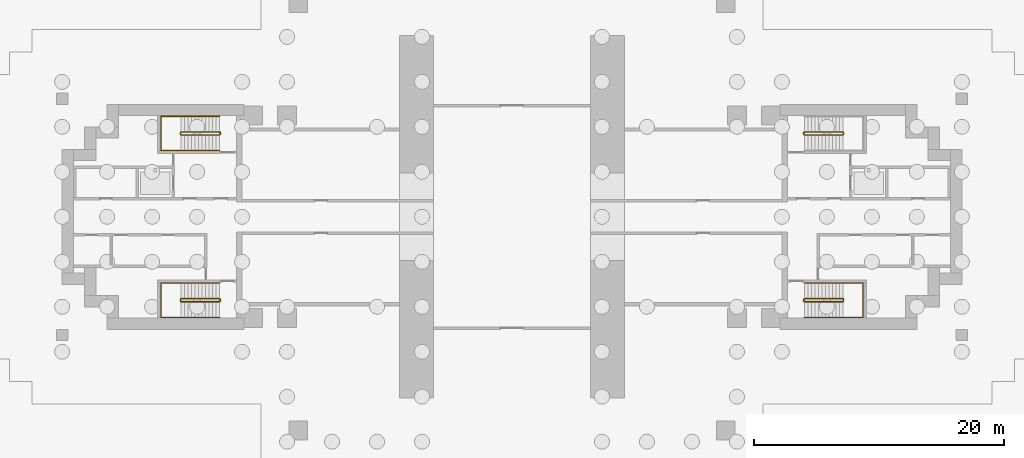
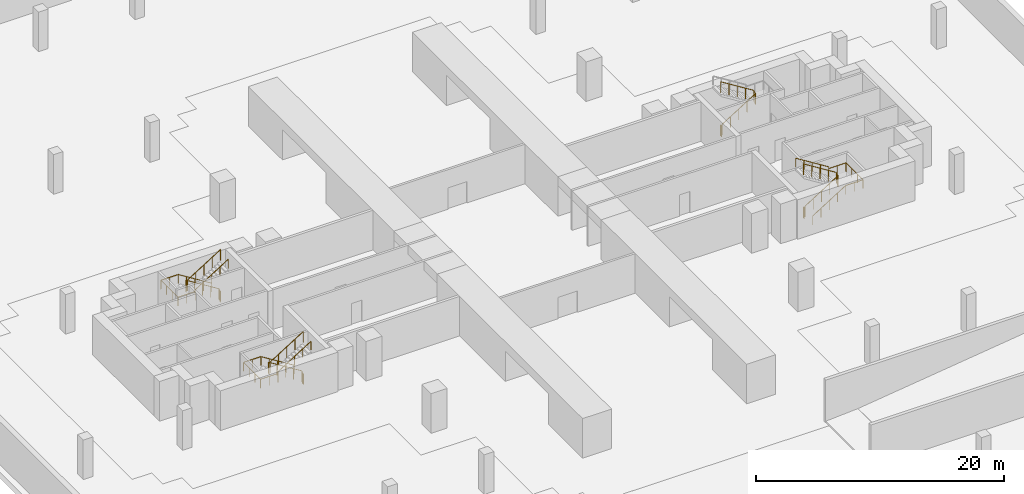
# One storey, part 9 of 11: 7 railings.
"""IFC4 building model written with IfcOpenShell, lengths in metres."""

from ifc_helpers import new_model, si_unit, direction, frame, origin, origin_2d, place, context, subcontext, project, spatial, rectangle, extrude, material, type_object, element, save


model = new_model("IFC4")

# Units and contexts
model_context = context("Model", 3, precision=1e-05, world=origin(), true_north=direction((0.0, 1.0)))
body_context = subcontext(model_context, "Body", "Model", "MODEL_VIEW")
ifc_project = project(units=[si_unit("LENGTHUNIT", "METRE"), si_unit("AREAUNIT", "SQUARE_METRE"), si_unit("VOLUMEUNIT", "CUBIC_METRE"), si_unit("PLANEANGLEUNIT", "RADIAN"), si_unit("MASSUNIT", "GRAM", prefix="KILO")], contexts=[model_context])

# Site, building, storey
site_placement = place(None, origin())
site = spatial("IfcSite", under=ifc_project, at=site_placement, CompositionType="ELEMENT")
building_placement = place(site_placement, origin())
building = spatial("IfcBuilding", under=site, at=building_placement, Name="Perihelion Cross Residences", CompositionType="ELEMENT")
storey_placement = place(building_placement, frame((0.0, 0.0, -17.10009765625)))
storey = spatial("IfcBuildingStorey", under=building, at=storey_placement, Name="B4", CompositionType="ELEMENT", Elevation=-17.10009765625)

# Railings
ifc_material_1 = material(Name="Stainless steel", Category="steel")
railing_type_1 = type_object("IfcRailingType", Name="Stair guard 1100", PredefinedType="GUARDRAIL", material=ifc_material_1)
railing_1_placement = place(storey_placement, frame((23.35009765625, 6.75, 0.0)))
element("IfcRailing", 1, at=railing_1_placement, inside=storey, type_object=railing_type_1, Name="B4 ST-E1 stair guard 1", PredefinedType="GUARDRAIL", context=body_context, shape_type="SweptSolid", body=[
    extrude(rectangle(XDim=0.048095703125, YDim=0.048095703125, at=origin_2d()), frame((0.0, 0.0, 1.076171875), z_axis=(0.0, -1.0, 0.0), x_axis=(1.0, 0.0, 0.0)), (0.0, 0.0, 1.0), 0.14990234375),
    extrude(rectangle(XDim=0.048095703125, YDim=0.048095703125, at=origin_2d()), frame((0.0, -0.14990234375, 1.076171875), z_axis=(0.263862480399, -0.265155923931, 0.927399011991), x_axis=(0.708833529934, 0.705375805398, 0.0)), (0.0, 0.0, 1.0), 0.188720703125),
    extrude(rectangle(XDim=0.048095703125, YDim=0.048095703125, at=origin_2d()), frame((0.0498046875, -0.199951171875, 1.2509765625), z_axis=(0.847998304005, 0.0, 0.529998940003), x_axis=(0.0, 1.0, 0.0)), (0.0, 0.0, 1.0), 3.632080078125),
    extrude(rectangle(XDim=0.048095703125, YDim=0.048095703125, at=origin_2d()), frame((3.1298828125, -0.199951171875, 3.17626953125), z_axis=(0.707106781187, 0.707106781187, 0.0), x_axis=(-0.707106781187, 0.707106781187, 0.0)), (0.0, 0.0, 1.0), 0.07080078125),
    extrude(rectangle(XDim=0.048095703125, YDim=0.048095703125, at=origin_2d()), frame((3.179931640625, -0.14990234375, 3.17626953125), z_axis=(0.0, 1.0, 0.0), x_axis=(-1.0, 0.0, 0.0)), (0.0, 0.0, 1.0), 0.14990234375),
    extrude(rectangle(XDim=0.048095703125, YDim=0.048095703125, at=origin_2d()), frame((3.179931640625, 0.0, 3.17626953125), z_axis=(-0.265065253269, 0.265065253269, 0.927081885822), x_axis=(-0.707106781187, -0.707106781187, 0.0)), (0.0, 0.0, 1.0), 0.188720703125),
    extrude(rectangle(XDim=0.048095703125, YDim=0.048095703125, at=origin_2d()), frame((3.1298828125, 0.050048828125, 3.35107421875), z_axis=(-0.847998304005, 0.0, 0.529998940003), x_axis=(0.0, -1.0, 0.0)), (0.0, 0.0, 1.0), 3.632080078125),
    extrude(rectangle(XDim=0.0419921875, YDim=0.0419921875, at=origin_2d()), origin(), (0.0, 0.0, 1.0), 1.052001953125),
    extrude(rectangle(XDim=0.0419921875, YDim=0.0419921875, at=origin_2d()), frame((0.0, -0.14990234375, 0.0)), (0.0, 0.0, 1.0), 1.052001953125),
    extrude(rectangle(XDim=0.0419921875, YDim=0.0419921875, at=origin_2d()), frame((0.0498046875, -0.199951171875, 0.175048828125)), (0.0, 0.0, 1.0), 1.052001953125),
    extrude(rectangle(XDim=0.0419921875, YDim=0.0419921875, at=origin_2d()), frame((0.81982421875, -0.199951171875, 0.65625)), (0.0, 0.0, 1.0), 1.052001953125),
    extrude(rectangle(XDim=0.0419921875, YDim=0.0419921875, at=origin_2d()), frame((1.58984375, -0.199951171875, 1.1376953125)), (0.0, 0.0, 1.0), 1.052001953125),
    extrude(rectangle(XDim=0.0419921875, YDim=0.0419921875, at=origin_2d()), frame((2.35986328125, -0.199951171875, 1.618896484375)), (0.0, 0.0, 1.0), 1.052001953125),
    extrude(rectangle(XDim=0.0419921875, YDim=0.0419921875, at=origin_2d()), frame((3.1298828125, -0.199951171875, 2.10009765625)), (0.0, 0.0, 1.0), 1.052001953125),
    extrude(rectangle(XDim=0.0419921875, YDim=0.0419921875, at=origin_2d()), frame((3.179931640625, -0.14990234375, 2.10009765625)), (0.0, 0.0, 1.0), 1.052001953125),
    extrude(rectangle(XDim=0.0419921875, YDim=0.0419921875, at=origin_2d()), frame((3.179931640625, 0.0, 2.10009765625)), (0.0, 0.0, 1.0), 1.052001953125),
    extrude(rectangle(XDim=0.0419921875, YDim=0.0419921875, at=origin_2d()), frame((3.1298828125, 0.050048828125, 2.275146484375)), (0.0, 0.0, 1.0), 1.052001953125),
    extrude(rectangle(XDim=0.0419921875, YDim=0.0419921875, at=origin_2d()), frame((2.35986328125, 0.050048828125, 2.75634765625)), (0.0, 0.0, 1.0), 1.052001953125),
    extrude(rectangle(XDim=0.0419921875, YDim=0.0419921875, at=origin_2d()), frame((1.58984375, 0.050048828125, 3.23779296875)), (0.0, 0.0, 1.0), 1.052001953125),
    extrude(rectangle(XDim=0.0419921875, YDim=0.0419921875, at=origin_2d()), frame((0.81982421875, 0.050048828125, 3.718994140625)), (0.0, 0.0, 1.0), 1.052001953125),
    extrude(rectangle(XDim=0.0419921875, YDim=0.0419921875, at=origin_2d()), frame((0.0498046875, 0.050048828125, 4.2001953125)), (0.0, 0.0, 1.0), 1.052001953125),
])
railing_2_placement = place(storey_placement, frame((23.35009765625, -6.60009765625, 0.0)))
element("IfcRailing", 2, at=railing_2_placement, inside=storey, type_object=railing_type_1, Name="B4 ST-E2 stair guard 1", PredefinedType="GUARDRAIL", context=body_context, shape_type="SweptSolid", body=[
    extrude(rectangle(XDim=0.048095703125, YDim=0.048095703125, at=origin_2d()), frame((0.0, 0.0, 1.076171875), z_axis=(0.0, -1.0, 0.0), x_axis=(1.0, 0.0, 0.0)), (0.0, 0.0, 1.0), 0.14990234375),
    extrude(rectangle(XDim=0.048095703125, YDim=0.048095703125, at=origin_2d()), frame((0.0, -0.14990234375, 1.076171875), z_axis=(0.263862480399, -0.265155923931, 0.927399011991), x_axis=(0.708833529934, 0.705375805398, 0.0)), (0.0, 0.0, 1.0), 0.188720703125),
    extrude(rectangle(XDim=0.048095703125, YDim=0.048095703125, at=origin_2d()), frame((0.0498046875, -0.199951171875, 1.2509765625), z_axis=(0.847998304005, 0.0, 0.529998940003), x_axis=(0.0, 1.0, 0.0)), (0.0, 0.0, 1.0), 3.632080078125),
    extrude(rectangle(XDim=0.048095703125, YDim=0.048095703125, at=origin_2d()), frame((3.1298828125, -0.199951171875, 3.17626953125), z_axis=(0.707106781187, 0.707106781187, 0.0), x_axis=(-0.707106781187, 0.707106781187, 0.0)), (0.0, 0.0, 1.0), 0.07080078125),
    extrude(rectangle(XDim=0.048095703125, YDim=0.048095703125, at=origin_2d()), frame((3.179931640625, -0.14990234375, 3.17626953125), z_axis=(0.0, 1.0, 0.0), x_axis=(-1.0, 0.0, 0.0)), (0.0, 0.0, 1.0), 0.14990234375),
    extrude(rectangle(XDim=0.048095703125, YDim=0.048095703125, at=origin_2d()), frame((3.179931640625, 0.0, 3.17626953125), z_axis=(-0.265065253269, 0.265065253269, 0.927081885822), x_axis=(-0.707106781187, -0.707106781187, 0.0)), (0.0, 0.0, 1.0), 0.188720703125),
    extrude(rectangle(XDim=0.048095703125, YDim=0.048095703125, at=origin_2d()), frame((3.1298828125, 0.050048828125, 3.35107421875), z_axis=(-0.847998304005, 0.0, 0.529998940003), x_axis=(0.0, -1.0, 0.0)), (0.0, 0.0, 1.0), 3.632080078125),
    extrude(rectangle(XDim=0.0419921875, YDim=0.0419921875, at=origin_2d()), origin(), (0.0, 0.0, 1.0), 1.052001953125),
    extrude(rectangle(XDim=0.0419921875, YDim=0.0419921875, at=origin_2d()), frame((0.0, -0.14990234375, 0.0)), (0.0, 0.0, 1.0), 1.052001953125),
    extrude(rectangle(XDim=0.0419921875, YDim=0.0419921875, at=origin_2d()), frame((0.0498046875, -0.199951171875, 0.175048828125)), (0.0, 0.0, 1.0), 1.052001953125),
    extrude(rectangle(XDim=0.0419921875, YDim=0.0419921875, at=origin_2d()), frame((0.81982421875, -0.199951171875, 0.65625)), (0.0, 0.0, 1.0), 1.052001953125),
    extrude(rectangle(XDim=0.0419921875, YDim=0.0419921875, at=origin_2d()), frame((1.58984375, -0.199951171875, 1.1376953125)), (0.0, 0.0, 1.0), 1.052001953125),
    extrude(rectangle(XDim=0.0419921875, YDim=0.0419921875, at=origin_2d()), frame((2.35986328125, -0.199951171875, 1.618896484375)), (0.0, 0.0, 1.0), 1.052001953125),
    extrude(rectangle(XDim=0.0419921875, YDim=0.0419921875, at=origin_2d()), frame((3.1298828125, -0.199951171875, 2.10009765625)), (0.0, 0.0, 1.0), 1.052001953125),
    extrude(rectangle(XDim=0.0419921875, YDim=0.0419921875, at=origin_2d()), frame((3.179931640625, -0.14990234375, 2.10009765625)), (0.0, 0.0, 1.0), 1.052001953125),
    extrude(rectangle(XDim=0.0419921875, YDim=0.0419921875, at=origin_2d()), frame((3.179931640625, 0.0, 2.10009765625)), (0.0, 0.0, 1.0), 1.052001953125),
    extrude(rectangle(XDim=0.0419921875, YDim=0.0419921875, at=origin_2d()), frame((3.1298828125, 0.050048828125, 2.275146484375)), (0.0, 0.0, 1.0), 1.052001953125),
    extrude(rectangle(XDim=0.0419921875, YDim=0.0419921875, at=origin_2d()), frame((2.35986328125, 0.050048828125, 2.75634765625)), (0.0, 0.0, 1.0), 1.052001953125),
    extrude(rectangle(XDim=0.0419921875, YDim=0.0419921875, at=origin_2d()), frame((1.58984375, 0.050048828125, 3.23779296875)), (0.0, 0.0, 1.0), 1.052001953125),
    extrude(rectangle(XDim=0.0419921875, YDim=0.0419921875, at=origin_2d()), frame((0.81982421875, 0.050048828125, 3.718994140625)), (0.0, 0.0, 1.0), 1.052001953125),
    extrude(rectangle(XDim=0.0419921875, YDim=0.0419921875, at=origin_2d()), frame((0.0498046875, 0.050048828125, 4.2001953125)), (0.0, 0.0, 1.0), 1.052001953125),
])
railing_3_placement = place(storey_placement, frame((-23.35009765625, 6.60009765625, 0.0)))
element("IfcRailing", 3, at=railing_3_placement, inside=storey, type_object=railing_type_1, Name="B4 ST-W1 stair guard 1", PredefinedType="GUARDRAIL", context=body_context, shape_type="SweptSolid", body=[
    extrude(rectangle(XDim=0.048095703125, YDim=0.048095703125, at=origin_2d()), frame((0.0, 0.0, 1.076171875), z_axis=(0.0, 1.0, 0.0), x_axis=(-1.0, 0.0, 0.0)), (0.0, 0.0, 1.0), 0.14990234375),
    extrude(rectangle(XDim=0.048095703125, YDim=0.048095703125, at=origin_2d()), frame((0.0, 0.14990234375, 1.076171875), z_axis=(-0.263862480399, 0.265155923931, 0.927399011991), x_axis=(-0.708833529934, -0.705375805398, 0.0)), (0.0, 0.0, 1.0), 0.188720703125),
    extrude(rectangle(XDim=0.048095703125, YDim=0.048095703125, at=origin_2d()), frame((-0.0498046875, 0.199951171875, 1.2509765625), z_axis=(-0.847998304005, 0.0, 0.529998940003), x_axis=(0.0, -1.0, 0.0)), (0.0, 0.0, 1.0), 3.632080078125),
    extrude(rectangle(XDim=0.048095703125, YDim=0.048095703125, at=origin_2d()), frame((-3.1298828125, 0.199951171875, 3.17626953125), z_axis=(-0.707106781187, -0.707106781187, 0.0), x_axis=(0.707106781187, -0.707106781187, 0.0)), (0.0, 0.0, 1.0), 0.07080078125),
    extrude(rectangle(XDim=0.048095703125, YDim=0.048095703125, at=origin_2d()), frame((-3.179931640625, 0.14990234375, 3.17626953125), z_axis=(0.0, -1.0, 0.0), x_axis=(1.0, 0.0, 0.0)), (0.0, 0.0, 1.0), 0.14990234375),
    extrude(rectangle(XDim=0.048095703125, YDim=0.048095703125, at=origin_2d()), frame((-3.179931640625, 0.0, 3.17626953125), z_axis=(0.265065253269, -0.265065253269, 0.927081885822), x_axis=(0.707106781187, 0.707106781187, 0.0)), (0.0, 0.0, 1.0), 0.188720703125),
    extrude(rectangle(XDim=0.048095703125, YDim=0.048095703125, at=origin_2d()), frame((-3.1298828125, -0.050048828125, 3.35107421875), z_axis=(0.847998304005, 0.0, 0.529998940003), x_axis=(0.0, 1.0, 0.0)), (0.0, 0.0, 1.0), 3.632080078125),
    extrude(rectangle(XDim=0.0419921875, YDim=0.0419921875, at=origin_2d()), origin(), (0.0, 0.0, 1.0), 1.052001953125),
    extrude(rectangle(XDim=0.0419921875, YDim=0.0419921875, at=origin_2d()), frame((0.0, 0.14990234375, 0.0)), (0.0, 0.0, 1.0), 1.052001953125),
    extrude(rectangle(XDim=0.0419921875, YDim=0.0419921875, at=origin_2d()), frame((-0.0498046875, 0.199951171875, 0.175048828125)), (0.0, 0.0, 1.0), 1.052001953125),
    extrude(rectangle(XDim=0.0419921875, YDim=0.0419921875, at=origin_2d()), frame((-0.81982421875, 0.199951171875, 0.65625)), (0.0, 0.0, 1.0), 1.052001953125),
    extrude(rectangle(XDim=0.0419921875, YDim=0.0419921875, at=origin_2d()), frame((-1.58984375, 0.199951171875, 1.1376953125)), (0.0, 0.0, 1.0), 1.052001953125),
    extrude(rectangle(XDim=0.0419921875, YDim=0.0419921875, at=origin_2d()), frame((-2.35986328125, 0.199951171875, 1.618896484375)), (0.0, 0.0, 1.0), 1.052001953125),
    extrude(rectangle(XDim=0.0419921875, YDim=0.0419921875, at=origin_2d()), frame((-3.1298828125, 0.199951171875, 2.10009765625)), (0.0, 0.0, 1.0), 1.052001953125),
    extrude(rectangle(XDim=0.0419921875, YDim=0.0419921875, at=origin_2d()), frame((-3.179931640625, 0.14990234375, 2.10009765625)), (0.0, 0.0, 1.0), 1.052001953125),
    extrude(rectangle(XDim=0.0419921875, YDim=0.0419921875, at=origin_2d()), frame((-3.179931640625, 0.0, 2.10009765625)), (0.0, 0.0, 1.0), 1.052001953125),
    extrude(rectangle(XDim=0.0419921875, YDim=0.0419921875, at=origin_2d()), frame((-3.1298828125, -0.050048828125, 2.275146484375)), (0.0, 0.0, 1.0), 1.052001953125),
    extrude(rectangle(XDim=0.0419921875, YDim=0.0419921875, at=origin_2d()), frame((-2.35986328125, -0.050048828125, 2.75634765625)), (0.0, 0.0, 1.0), 1.052001953125),
    extrude(rectangle(XDim=0.0419921875, YDim=0.0419921875, at=origin_2d()), frame((-1.58984375, -0.050048828125, 3.23779296875)), (0.0, 0.0, 1.0), 1.052001953125),
    extrude(rectangle(XDim=0.0419921875, YDim=0.0419921875, at=origin_2d()), frame((-0.81982421875, -0.050048828125, 3.718994140625)), (0.0, 0.0, 1.0), 1.052001953125),
    extrude(rectangle(XDim=0.0419921875, YDim=0.0419921875, at=origin_2d()), frame((-0.0498046875, -0.050048828125, 4.2001953125)), (0.0, 0.0, 1.0), 1.052001953125),
])
railing_4_placement = place(storey_placement, frame((-23.35009765625, -6.75, 0.0)))
element("IfcRailing", 4, at=railing_4_placement, inside=storey, type_object=railing_type_1, Name="B4 ST-W2 stair guard 1", PredefinedType="GUARDRAIL", context=body_context, shape_type="SweptSolid", body=[
    extrude(rectangle(XDim=0.048095703125, YDim=0.048095703125, at=origin_2d()), frame((0.0, 0.0, 1.076171875), z_axis=(0.0, 1.0, 0.0), x_axis=(-1.0, 0.0, 0.0)), (0.0, 0.0, 1.0), 0.14990234375),
    extrude(rectangle(XDim=0.048095703125, YDim=0.048095703125, at=origin_2d()), frame((0.0, 0.14990234375, 1.076171875), z_axis=(-0.263862480399, 0.265155923931, 0.927399011991), x_axis=(-0.708833529934, -0.705375805398, 0.0)), (0.0, 0.0, 1.0), 0.188720703125),
    extrude(rectangle(XDim=0.048095703125, YDim=0.048095703125, at=origin_2d()), frame((-0.0498046875, 0.199951171875, 1.2509765625), z_axis=(-0.847998304005, 0.0, 0.529998940003), x_axis=(0.0, -1.0, 0.0)), (0.0, 0.0, 1.0), 3.632080078125),
    extrude(rectangle(XDim=0.048095703125, YDim=0.048095703125, at=origin_2d()), frame((-3.1298828125, 0.199951171875, 3.17626953125), z_axis=(-0.707106781187, -0.707106781187, 0.0), x_axis=(0.707106781187, -0.707106781187, 0.0)), (0.0, 0.0, 1.0), 0.07080078125),
    extrude(rectangle(XDim=0.048095703125, YDim=0.048095703125, at=origin_2d()), frame((-3.179931640625, 0.14990234375, 3.17626953125), z_axis=(0.0, -1.0, 0.0), x_axis=(1.0, 0.0, 0.0)), (0.0, 0.0, 1.0), 0.14990234375),
    extrude(rectangle(XDim=0.048095703125, YDim=0.048095703125, at=origin_2d()), frame((-3.179931640625, 0.0, 3.17626953125), z_axis=(0.265065253269, -0.265065253269, 0.927081885822), x_axis=(0.707106781187, 0.707106781187, 0.0)), (0.0, 0.0, 1.0), 0.188720703125),
    extrude(rectangle(XDim=0.048095703125, YDim=0.048095703125, at=origin_2d()), frame((-3.1298828125, -0.050048828125, 3.35107421875), z_axis=(0.847998304005, 0.0, 0.529998940003), x_axis=(0.0, 1.0, 0.0)), (0.0, 0.0, 1.0), 3.632080078125),
    extrude(rectangle(XDim=0.0419921875, YDim=0.0419921875, at=origin_2d()), origin(), (0.0, 0.0, 1.0), 1.052001953125),
    extrude(rectangle(XDim=0.0419921875, YDim=0.0419921875, at=origin_2d()), frame((0.0, 0.14990234375, 0.0)), (0.0, 0.0, 1.0), 1.052001953125),
    extrude(rectangle(XDim=0.0419921875, YDim=0.0419921875, at=origin_2d()), frame((-0.0498046875, 0.199951171875, 0.175048828125)), (0.0, 0.0, 1.0), 1.052001953125),
    extrude(rectangle(XDim=0.0419921875, YDim=0.0419921875, at=origin_2d()), frame((-0.81982421875, 0.199951171875, 0.65625)), (0.0, 0.0, 1.0), 1.052001953125),
    extrude(rectangle(XDim=0.0419921875, YDim=0.0419921875, at=origin_2d()), frame((-1.58984375, 0.199951171875, 1.1376953125)), (0.0, 0.0, 1.0), 1.052001953125),
    extrude(rectangle(XDim=0.0419921875, YDim=0.0419921875, at=origin_2d()), frame((-2.35986328125, 0.199951171875, 1.618896484375)), (0.0, 0.0, 1.0), 1.052001953125),
    extrude(rectangle(XDim=0.0419921875, YDim=0.0419921875, at=origin_2d()), frame((-3.1298828125, 0.199951171875, 2.10009765625)), (0.0, 0.0, 1.0), 1.052001953125),
    extrude(rectangle(XDim=0.0419921875, YDim=0.0419921875, at=origin_2d()), frame((-3.179931640625, 0.14990234375, 2.10009765625)), (0.0, 0.0, 1.0), 1.052001953125),
    extrude(rectangle(XDim=0.0419921875, YDim=0.0419921875, at=origin_2d()), frame((-3.179931640625, 0.0, 2.10009765625)), (0.0, 0.0, 1.0), 1.052001953125),
    extrude(rectangle(XDim=0.0419921875, YDim=0.0419921875, at=origin_2d()), frame((-3.1298828125, -0.050048828125, 2.275146484375)), (0.0, 0.0, 1.0), 1.052001953125),
    extrude(rectangle(XDim=0.0419921875, YDim=0.0419921875, at=origin_2d()), frame((-2.35986328125, -0.050048828125, 2.75634765625)), (0.0, 0.0, 1.0), 1.052001953125),
    extrude(rectangle(XDim=0.0419921875, YDim=0.0419921875, at=origin_2d()), frame((-1.58984375, -0.050048828125, 3.23779296875)), (0.0, 0.0, 1.0), 1.052001953125),
    extrude(rectangle(XDim=0.0419921875, YDim=0.0419921875, at=origin_2d()), frame((-0.81982421875, -0.050048828125, 3.718994140625)), (0.0, 0.0, 1.0), 1.052001953125),
    extrude(rectangle(XDim=0.0419921875, YDim=0.0419921875, at=origin_2d()), frame((-0.0498046875, -0.050048828125, 4.2001953125)), (0.0, 0.0, 1.0), 1.052001953125),
])
ifc_material_2 = material(Name="Stainless steel", Category="steel")
railing_type_2 = type_object("IfcRailingType", Name="Stair handrail 900", PredefinedType="HANDRAIL", material=ifc_material_2)
railing_5_placement = place(storey_placement, frame((23.39990234375, -8.050048828125, 0.175048828125)))
element("IfcRailing", 5, at=railing_5_placement, inside=storey, type_object=railing_type_2, Name="B4 ST-E2 stair handrail 1", PredefinedType="HANDRAIL", context=body_context, shape_type="SweptSolid", body=[
    extrude(rectangle(XDim=0.048095703125, YDim=0.048095703125, at=origin_2d()), frame((0.0, 0.0, 0.8759765625), z_axis=(0.847998304005, 0.0, 0.529998940003), x_axis=(0.0, 1.0, 0.0)), (0.0, 0.0, 1.0), 3.632080078125),
    extrude(rectangle(XDim=0.048095703125, YDim=0.048095703125, at=origin_2d()), frame((3.080078125, 0.0, 2.80078125), z_axis=(1.0, 0.0, 0.0), x_axis=(0.0, 1.0, 0.0)), (0.0, 0.0, 1.0), 1.6201171875),
    extrude(rectangle(XDim=0.048095703125, YDim=0.048095703125, at=origin_2d()), frame((4.7001953125, 0.0, 2.80078125), z_axis=(0.0, 1.0, 0.0), x_axis=(-1.0, 0.0, 0.0)), (0.0, 0.0, 1.0), 2.75),
    extrude(rectangle(XDim=0.048095703125, YDim=0.048095703125, at=origin_2d()), frame((4.7001953125, 2.75, 2.80078125), z_axis=(-1.0, 0.0, 0.0), x_axis=(0.0, -1.0, 0.0)), (0.0, 0.0, 1.0), 1.6201171875),
    extrude(rectangle(XDim=0.048095703125, YDim=0.048095703125, at=origin_2d()), frame((3.080078125, 2.75, 2.80078125), z_axis=(0.0, 0.0, 1.0), x_axis=(1.0, 0.0, 0.0)), (0.0, 0.0, 1.0), 0.175048828125),
    extrude(rectangle(XDim=0.048095703125, YDim=0.048095703125, at=origin_2d()), frame((3.080078125, 2.75, 2.97607421875), z_axis=(-0.847998304005, 0.0, 0.529998940003), x_axis=(0.0, -1.0, 0.0)), (0.0, 0.0, 1.0), 3.632080078125),
    extrude(rectangle(XDim=0.0419921875, YDim=0.0419921875, at=origin_2d()), origin(), (0.0, 0.0, 1.0), 0.851806640625),
    extrude(rectangle(XDim=0.0419921875, YDim=0.0419921875, at=origin_2d()), frame((0.77001953125, 0.0, 0.481201171875)), (0.0, 0.0, 1.0), 0.851806640625),
    extrude(rectangle(XDim=0.0419921875, YDim=0.0419921875, at=origin_2d()), frame((1.5400390625, 0.0, 0.96240234375)), (0.0, 0.0, 1.0), 0.851806640625),
    extrude(rectangle(XDim=0.0419921875, YDim=0.0419921875, at=origin_2d()), frame((2.31005859375, 0.0, 1.44384765625)), (0.0, 0.0, 1.0), 0.851806640625),
    extrude(rectangle(XDim=0.0419921875, YDim=0.0419921875, at=origin_2d()), frame((3.080078125, 0.0, 1.925048828125)), (0.0, 0.0, 1.0), 0.851806640625),
    extrude(rectangle(XDim=0.0419921875, YDim=0.0419921875, at=origin_2d()), frame((3.89013671875, 0.0, 1.925048828125)), (0.0, 0.0, 1.0), 0.851806640625),
    extrude(rectangle(XDim=0.0419921875, YDim=0.0419921875, at=origin_2d()), frame((4.7001953125, 0.0, 1.925048828125)), (0.0, 0.0, 1.0), 0.851806640625),
    extrude(rectangle(XDim=0.0419921875, YDim=0.0419921875, at=origin_2d()), frame((4.7001953125, 0.916748046875, 1.925048828125)), (0.0, 0.0, 1.0), 0.851806640625),
    extrude(rectangle(XDim=0.0419921875, YDim=0.0419921875, at=origin_2d()), frame((4.7001953125, 1.833251953125, 1.925048828125)), (0.0, 0.0, 1.0), 0.851806640625),
    extrude(rectangle(XDim=0.0419921875, YDim=0.0419921875, at=origin_2d()), frame((4.7001953125, 2.75, 1.925048828125)), (0.0, 0.0, 1.0), 0.851806640625),
    extrude(rectangle(XDim=0.0419921875, YDim=0.0419921875, at=origin_2d()), frame((3.89013671875, 2.75, 1.925048828125)), (0.0, 0.0, 1.0), 0.851806640625),
    extrude(rectangle(XDim=0.0419921875, YDim=0.0419921875, at=origin_2d()), frame((3.080078125, 2.75, 1.925048828125)), (0.0, 0.0, 1.0), 0.851806640625),
    extrude(rectangle(XDim=0.0419921875, YDim=0.0419921875, at=origin_2d()), frame((3.080078125, 2.75, 2.10009765625)), (0.0, 0.0, 1.0), 0.851806640625),
    extrude(rectangle(XDim=0.0419921875, YDim=0.0419921875, at=origin_2d()), frame((2.31005859375, 2.75, 2.581298828125)), (0.0, 0.0, 1.0), 0.851806640625),
    extrude(rectangle(XDim=0.0419921875, YDim=0.0419921875, at=origin_2d()), frame((1.5400390625, 2.75, 3.0625)), (0.0, 0.0, 1.0), 0.851806640625),
    extrude(rectangle(XDim=0.0419921875, YDim=0.0419921875, at=origin_2d()), frame((0.77001953125, 2.75, 3.5439453125)), (0.0, 0.0, 1.0), 0.851806640625),
    extrude(rectangle(XDim=0.0419921875, YDim=0.0419921875, at=origin_2d()), frame((0.0, 2.75, 4.025146484375)), (0.0, 0.0, 1.0), 0.851806640625),
])
railing_6_placement = place(storey_placement, frame((-23.39990234375, 8.050048828125, 0.175048828125)))
element("IfcRailing", 6, at=railing_6_placement, inside=storey, type_object=railing_type_2, Name="B4 ST-W1 stair handrail 1", PredefinedType="HANDRAIL", context=body_context, shape_type="SweptSolid", body=[
    extrude(rectangle(XDim=0.048095703125, YDim=0.048095703125, at=origin_2d()), frame((0.0, 0.0, 0.8759765625), z_axis=(-0.847998304005, 0.0, 0.529998940003), x_axis=(0.0, -1.0, 0.0)), (0.0, 0.0, 1.0), 3.632080078125),
    extrude(rectangle(XDim=0.048095703125, YDim=0.048095703125, at=origin_2d()), frame((-3.080078125, 0.0, 2.80078125), z_axis=(-1.0, 0.0, 0.0), x_axis=(0.0, -1.0, 0.0)), (0.0, 0.0, 1.0), 1.6201171875),
    extrude(rectangle(XDim=0.048095703125, YDim=0.048095703125, at=origin_2d()), frame((-4.7001953125, 0.0, 2.80078125), z_axis=(0.0, -1.0, 0.0), x_axis=(1.0, 0.0, 0.0)), (0.0, 0.0, 1.0), 2.75),
    extrude(rectangle(XDim=0.048095703125, YDim=0.048095703125, at=origin_2d()), frame((-4.7001953125, -2.75, 2.80078125), z_axis=(1.0, 0.0, 0.0), x_axis=(0.0, 1.0, 0.0)), (0.0, 0.0, 1.0), 1.6201171875),
    extrude(rectangle(XDim=0.048095703125, YDim=0.048095703125, at=origin_2d()), frame((-3.080078125, -2.75, 2.80078125), z_axis=(0.0, 0.0, 1.0), x_axis=(1.0, 0.0, 0.0)), (0.0, 0.0, 1.0), 0.175048828125),
    extrude(rectangle(XDim=0.048095703125, YDim=0.048095703125, at=origin_2d()), frame((-3.080078125, -2.75, 2.97607421875), z_axis=(0.847998304005, 0.0, 0.529998940003), x_axis=(0.0, 1.0, 0.0)), (0.0, 0.0, 1.0), 3.632080078125),
    extrude(rectangle(XDim=0.0419921875, YDim=0.0419921875, at=origin_2d()), origin(), (0.0, 0.0, 1.0), 0.851806640625),
    extrude(rectangle(XDim=0.0419921875, YDim=0.0419921875, at=origin_2d()), frame((-0.77001953125, 0.0, 0.481201171875)), (0.0, 0.0, 1.0), 0.851806640625),
    extrude(rectangle(XDim=0.0419921875, YDim=0.0419921875, at=origin_2d()), frame((-1.5400390625, 0.0, 0.96240234375)), (0.0, 0.0, 1.0), 0.851806640625),
    extrude(rectangle(XDim=0.0419921875, YDim=0.0419921875, at=origin_2d()), frame((-2.31005859375, 0.0, 1.44384765625)), (0.0, 0.0, 1.0), 0.851806640625),
    extrude(rectangle(XDim=0.0419921875, YDim=0.0419921875, at=origin_2d()), frame((-3.080078125, 0.0, 1.925048828125)), (0.0, 0.0, 1.0), 0.851806640625),
    extrude(rectangle(XDim=0.0419921875, YDim=0.0419921875, at=origin_2d()), frame((-3.89013671875, 0.0, 1.925048828125)), (0.0, 0.0, 1.0), 0.851806640625),
    extrude(rectangle(XDim=0.0419921875, YDim=0.0419921875, at=origin_2d()), frame((-4.7001953125, 0.0, 1.925048828125)), (0.0, 0.0, 1.0), 0.851806640625),
    extrude(rectangle(XDim=0.0419921875, YDim=0.0419921875, at=origin_2d()), frame((-4.7001953125, -0.916748046875, 1.925048828125)), (0.0, 0.0, 1.0), 0.851806640625),
    extrude(rectangle(XDim=0.0419921875, YDim=0.0419921875, at=origin_2d()), frame((-4.7001953125, -1.833251953125, 1.925048828125)), (0.0, 0.0, 1.0), 0.851806640625),
    extrude(rectangle(XDim=0.0419921875, YDim=0.0419921875, at=origin_2d()), frame((-4.7001953125, -2.75, 1.925048828125)), (0.0, 0.0, 1.0), 0.851806640625),
    extrude(rectangle(XDim=0.0419921875, YDim=0.0419921875, at=origin_2d()), frame((-3.89013671875, -2.75, 1.925048828125)), (0.0, 0.0, 1.0), 0.851806640625),
    extrude(rectangle(XDim=0.0419921875, YDim=0.0419921875, at=origin_2d()), frame((-3.080078125, -2.75, 1.925048828125)), (0.0, 0.0, 1.0), 0.851806640625),
    extrude(rectangle(XDim=0.0419921875, YDim=0.0419921875, at=origin_2d()), frame((-3.080078125, -2.75, 2.10009765625)), (0.0, 0.0, 1.0), 0.851806640625),
    extrude(rectangle(XDim=0.0419921875, YDim=0.0419921875, at=origin_2d()), frame((-2.31005859375, -2.75, 2.581298828125)), (0.0, 0.0, 1.0), 0.851806640625),
    extrude(rectangle(XDim=0.0419921875, YDim=0.0419921875, at=origin_2d()), frame((-1.5400390625, -2.75, 3.0625)), (0.0, 0.0, 1.0), 0.851806640625),
    extrude(rectangle(XDim=0.0419921875, YDim=0.0419921875, at=origin_2d()), frame((-0.77001953125, -2.75, 3.5439453125)), (0.0, 0.0, 1.0), 0.851806640625),
    extrude(rectangle(XDim=0.0419921875, YDim=0.0419921875, at=origin_2d()), frame((0.0, -2.75, 4.025146484375)), (0.0, 0.0, 1.0), 0.851806640625),
])
railing_7_placement = place(storey_placement, frame((-23.39990234375, -5.300048828125, 0.175048828125)))
element("IfcRailing", 7, at=railing_7_placement, inside=storey, type_object=railing_type_2, Name="B4 ST-W2 stair handrail 1", PredefinedType="HANDRAIL", context=body_context, shape_type="SweptSolid", body=[
    extrude(rectangle(XDim=0.048095703125, YDim=0.048095703125, at=origin_2d()), frame((0.0, 0.0, 0.8759765625), z_axis=(-0.847998304005, 0.0, 0.529998940003), x_axis=(0.0, -1.0, 0.0)), (0.0, 0.0, 1.0), 3.632080078125),
    extrude(rectangle(XDim=0.048095703125, YDim=0.048095703125, at=origin_2d()), frame((-3.080078125, 0.0, 2.80078125), z_axis=(-1.0, 0.0, 0.0), x_axis=(0.0, -1.0, 0.0)), (0.0, 0.0, 1.0), 1.6201171875),
    extrude(rectangle(XDim=0.048095703125, YDim=0.048095703125, at=origin_2d()), frame((-4.7001953125, 0.0, 2.80078125), z_axis=(0.0, -1.0, 0.0), x_axis=(1.0, 0.0, 0.0)), (0.0, 0.0, 1.0), 2.75),
    extrude(rectangle(XDim=0.048095703125, YDim=0.048095703125, at=origin_2d()), frame((-4.7001953125, -2.75, 2.80078125), z_axis=(1.0, 0.0, 0.0), x_axis=(0.0, 1.0, 0.0)), (0.0, 0.0, 1.0), 1.6201171875),
    extrude(rectangle(XDim=0.048095703125, YDim=0.048095703125, at=origin_2d()), frame((-3.080078125, -2.75, 2.80078125), z_axis=(0.0, 0.0, 1.0), x_axis=(1.0, 0.0, 0.0)), (0.0, 0.0, 1.0), 0.175048828125),
    extrude(rectangle(XDim=0.048095703125, YDim=0.048095703125, at=origin_2d()), frame((-3.080078125, -2.75, 2.97607421875), z_axis=(0.847998304005, 0.0, 0.529998940003), x_axis=(0.0, 1.0, 0.0)), (0.0, 0.0, 1.0), 3.632080078125),
    extrude(rectangle(XDim=0.0419921875, YDim=0.0419921875, at=origin_2d()), origin(), (0.0, 0.0, 1.0), 0.851806640625),
    extrude(rectangle(XDim=0.0419921875, YDim=0.0419921875, at=origin_2d()), frame((-0.77001953125, 0.0, 0.481201171875)), (0.0, 0.0, 1.0), 0.851806640625),
    extrude(rectangle(XDim=0.0419921875, YDim=0.0419921875, at=origin_2d()), frame((-1.5400390625, 0.0, 0.96240234375)), (0.0, 0.0, 1.0), 0.851806640625),
    extrude(rectangle(XDim=0.0419921875, YDim=0.0419921875, at=origin_2d()), frame((-2.31005859375, 0.0, 1.44384765625)), (0.0, 0.0, 1.0), 0.851806640625),
    extrude(rectangle(XDim=0.0419921875, YDim=0.0419921875, at=origin_2d()), frame((-3.080078125, 0.0, 1.925048828125)), (0.0, 0.0, 1.0), 0.851806640625),
    extrude(rectangle(XDim=0.0419921875, YDim=0.0419921875, at=origin_2d()), frame((-3.89013671875, 0.0, 1.925048828125)), (0.0, 0.0, 1.0), 0.851806640625),
    extrude(rectangle(XDim=0.0419921875, YDim=0.0419921875, at=origin_2d()), frame((-4.7001953125, 0.0, 1.925048828125)), (0.0, 0.0, 1.0), 0.851806640625),
    extrude(rectangle(XDim=0.0419921875, YDim=0.0419921875, at=origin_2d()), frame((-4.7001953125, -0.916748046875, 1.925048828125)), (0.0, 0.0, 1.0), 0.851806640625),
    extrude(rectangle(XDim=0.0419921875, YDim=0.0419921875, at=origin_2d()), frame((-4.7001953125, -1.833251953125, 1.925048828125)), (0.0, 0.0, 1.0), 0.851806640625),
    extrude(rectangle(XDim=0.0419921875, YDim=0.0419921875, at=origin_2d()), frame((-4.7001953125, -2.75, 1.925048828125)), (0.0, 0.0, 1.0), 0.851806640625),
    extrude(rectangle(XDim=0.0419921875, YDim=0.0419921875, at=origin_2d()), frame((-3.89013671875, -2.75, 1.925048828125)), (0.0, 0.0, 1.0), 0.851806640625),
    extrude(rectangle(XDim=0.0419921875, YDim=0.0419921875, at=origin_2d()), frame((-3.080078125, -2.75, 1.925048828125)), (0.0, 0.0, 1.0), 0.851806640625),
    extrude(rectangle(XDim=0.0419921875, YDim=0.0419921875, at=origin_2d()), frame((-3.080078125, -2.75, 2.10009765625)), (0.0, 0.0, 1.0), 0.851806640625),
    extrude(rectangle(XDim=0.0419921875, YDim=0.0419921875, at=origin_2d()), frame((-2.31005859375, -2.75, 2.581298828125)), (0.0, 0.0, 1.0), 0.851806640625),
    extrude(rectangle(XDim=0.0419921875, YDim=0.0419921875, at=origin_2d()), frame((-1.5400390625, -2.75, 3.0625)), (0.0, 0.0, 1.0), 0.851806640625),
    extrude(rectangle(XDim=0.0419921875, YDim=0.0419921875, at=origin_2d()), frame((-0.77001953125, -2.75, 3.5439453125)), (0.0, 0.0, 1.0), 0.851806640625),
    extrude(rectangle(XDim=0.0419921875, YDim=0.0419921875, at=origin_2d()), frame((0.0, -2.75, 4.025146484375)), (0.0, 0.0, 1.0), 0.851806640625),
])

save(model, "model.ifc")
